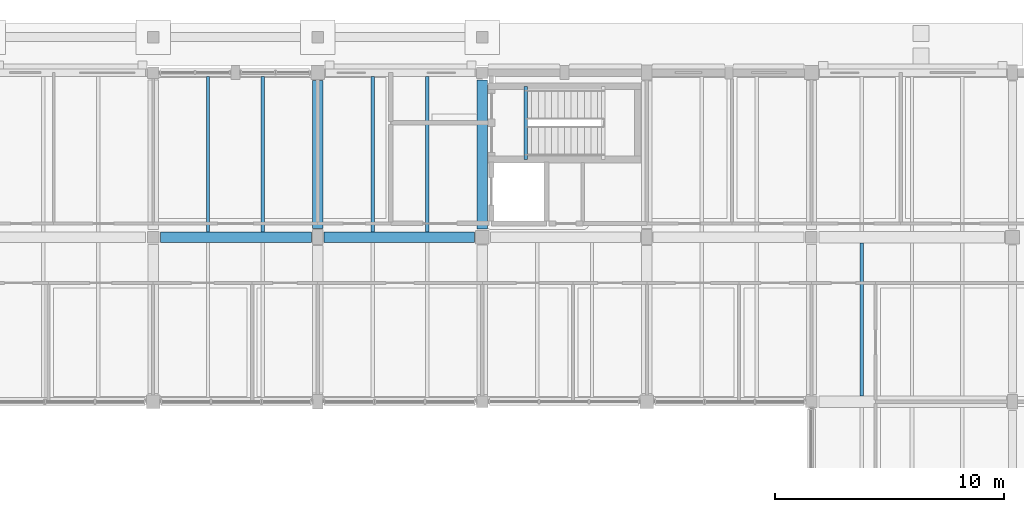
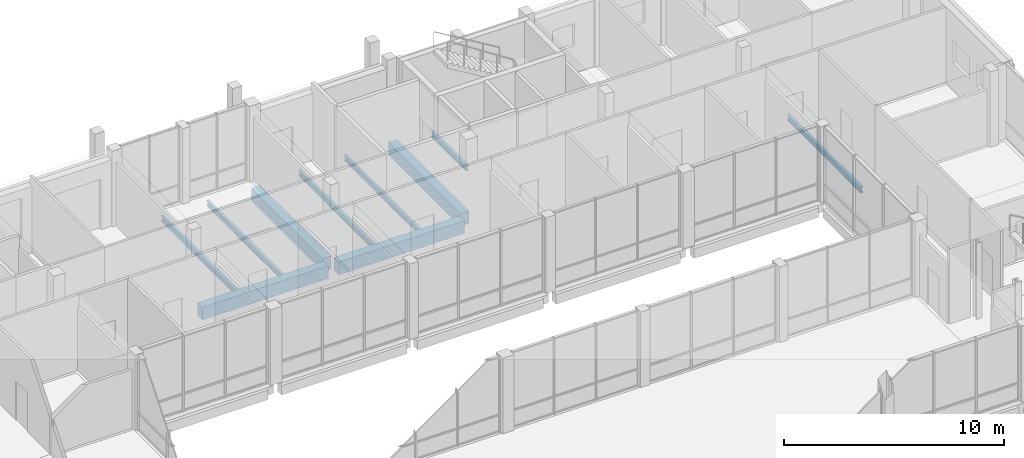
# One storey, part 41 of 104: 10 beams.
"""IFC4 building model written with IfcOpenShell, lengths in metres."""

from ifc_helpers import new_model, si_unit, direction, frame, origin, origin_2d, place, context, subcontext, project, spatial, rectangle, i_section, extrude, material, material_profile, profile_set, type_object, element, save


model = new_model("IFC4")

# Units and contexts
model_context = context("Model", 3, precision=1e-05, world=origin(), true_north=direction((0.0, 1.0)))
body_context = subcontext(model_context, "Body", "Model", "MODEL_VIEW")
ifc_project = project(units=[si_unit("LENGTHUNIT", "METRE"), si_unit("AREAUNIT", "SQUARE_METRE"), si_unit("VOLUMEUNIT", "CUBIC_METRE"), si_unit("PLANEANGLEUNIT", "RADIAN"), si_unit("MASSUNIT", "GRAM", prefix="KILO")], contexts=[model_context])

# Site, building, storey
site_placement = place(None, origin())
site = spatial("IfcSite", under=ifc_project, at=site_placement, CompositionType="ELEMENT")
building_placement = place(site_placement, origin())
building = spatial("IfcBuilding", under=site, at=building_placement, Name="Hawrajan Terrace Health Centre", CompositionType="ELEMENT")
storey_placement = place(building_placement, origin())
storey = spatial("IfcBuildingStorey", under=building, at=storey_placement, Name="L00", CompositionType="ELEMENT", Elevation=0.0)

# Beams
ifc_material_1 = material(Name="Concrete C40/50", Category="concrete")
ifc_material_profile_1 = material_profile(ifc_material_1, rectangle(XDim=0.449951171875, YDim=0.699951171875, at=origin_2d()), Name="RC BM 450x700")
ifc_profile_set_1 = profile_set([ifc_material_profile_1], Name="Concrete C40/50")
beam_type_1 = type_object("IfcBeamType", Name="RCGirder_450x700", PredefinedType="BEAM", material=ifc_profile_set_1)
beam_1_placement = place(storey_placement, frame((33.72509765625, 52.60009765625, -0.64990234375), z_axis=(1.0, 0.0, 0.0), x_axis=(0.0, 1.0, 0.0)))
element("IfcBeam", 1, at=beam_1_placement, inside=storey, type_object=beam_type_1, Name="Beam BM-X-L00-W-05-Y7", PredefinedType="BEAM", context=body_context, shape_type="SweptSolid", body=[
    extrude(rectangle(XDim=0.449951171875, YDim=0.699951171875, at=origin_2d()), origin(), (0.0, 0.0, 1.0), 6.599853515625),
])
beam_2_placement = place(storey_placement, frame((40.875, 52.60009765625, -0.64990234375), z_axis=(1.0, 0.0, 0.0), x_axis=(0.0, 1.0, 0.0)))
element("IfcBeam", 2, at=beam_2_placement, inside=storey, type_object=beam_type_1, Name="Beam BM-X-L00-W-06-Y7", PredefinedType="BEAM", context=body_context, shape_type="SweptSolid", body=[
    extrude(rectangle(XDim=0.449951171875, YDim=0.699951171875, at=origin_2d()), origin(), (0.0, 0.0, 1.0), 6.574951171875),
])
beam_3_placement = place(storey_placement, frame((40.60009765625, 52.97509765625, -0.64990234375), z_axis=(0.0, 1.0, 0.0), x_axis=(-1.0, 0.0, 0.0)))
element("IfcBeam", 3, at=beam_3_placement, inside=storey, type_object=beam_type_1, Name="Beam BM-Y-L00-W-X06-7", PredefinedType="BEAM", context=body_context, shape_type="SweptSolid", body=[
    extrude(rectangle(XDim=0.449951171875, YDim=0.699951171875, at=origin_2d()), origin(), (0.0, 0.0, 1.0), 6.474853515625),
])
beam_4_placement = place(storey_placement, frame((47.800048828125, 52.949951171875, -0.64990234375), z_axis=(0.0, 1.0, 0.0), x_axis=(-1.0, 0.0, 0.0)))
element("IfcBeam", 4, at=beam_4_placement, inside=storey, type_object=beam_type_1, Name="Beam BM-Y-L00-W-X07-7", PredefinedType="BEAM", context=body_context, shape_type="SweptSolid", body=[
    extrude(rectangle(XDim=0.449951171875, YDim=0.699951171875, at=origin_2d()), origin(), (0.0, 0.0, 1.0), 6.525146484375),
])
ifc_material_2 = material(Name="Steel S355", Category="steel")
ifc_material_profile_2 = material_profile(ifc_material_2, i_section(OverallWidth=0.14990234375, OverallDepth=0.300048828125, WebThickness=0.007080078125, FlangeThickness=0.0107421875, FilletRadius=0.014892578125, at=origin_2d()), Name="IPE 300")
ifc_profile_set_2 = profile_set([ifc_material_profile_2], Name="Steel S355")
beam_type_2 = type_object("IfcBeamType", Name="SteelBeam_IPE300", PredefinedType="JOIST", material=ifc_profile_set_2)
for number, where, z_axis, x_axis, name in (
    (5, (35.800048828125, 52.824951171875, -0.449951171875), (0.0, 1.0, 0.0), (-1.0, 0.0, 0.0), "Secondary joist JST-L00-W-05-7-1"),
    (6, (38.199951171875, 52.824951171875, -0.449951171875), (0.0, 1.0, 0.0), (-1.0, 0.0, 0.0), "Secondary joist JST-L00-W-05-7-2"),
    (7, (43.0, 52.824951171875, -0.449951171875), (0.0, 1.0, 0.0), (-1.0, 0.0, 0.0), "Secondary joist JST-L00-W-06-7-1"),
    (8, (45.39990234375, 52.824951171875, -0.449951171875), (0.0, 1.0, 0.0), (-1.0, 0.0, 0.0), "Secondary joist JST-L00-W-06-7-2"),
):
    element("IfcBeam", number, at=place(storey_placement, frame(where, z_axis=z_axis, x_axis=x_axis)), inside=storey, type_object=beam_type_2, Name=name, PredefinedType="JOIST", context=body_context, shape_type="SweptSolid", body=[
        extrude(i_section(OverallWidth=0.14990234375, OverallDepth=0.300048828125, WebThickness=0.007080078125, FlangeThickness=0.0107421875, FilletRadius=0.014892578125, at=origin_2d()), origin(), (0.0, 0.0, 1.0), 6.800048828125),
    ])
beam_5_placement = place(storey_placement, frame((64.39990234375, 45.64990234375, -0.449951171875), z_axis=(0.0, 1.0, 0.0), x_axis=(-1.0, 0.0, 0.0)))
element("IfcBeam", 9, at=beam_5_placement, inside=storey, type_object=beam_type_2, Name="Secondary joist JST-L00-W-09-6-1", PredefinedType="JOIST", context=body_context, shape_type="SweptSolid", body=[
    extrude(i_section(OverallWidth=0.14990234375, OverallDepth=0.300048828125, WebThickness=0.007080078125, FlangeThickness=0.0107421875, FilletRadius=0.014892578125, at=origin_2d()), origin(), (0.0, 0.0, 1.0), 6.7001953125),
])
beam_6_placement = place(storey_placement, frame((49.699951171875, 56.0, -0.3701171875), z_axis=(0.0, 1.0, 0.0), x_axis=(-1.0, 0.0, 0.0)))
element("IfcBeam", 10, at=beam_6_placement, inside=storey, type_object=beam_type_2, Name="Stair landing trimmer ST-2-L00-B0", PredefinedType="JOIST", context=body_context, shape_type="SweptSolid", body=[
    extrude(i_section(OverallWidth=0.14990234375, OverallDepth=0.300048828125, WebThickness=0.007080078125, FlangeThickness=0.0107421875, FilletRadius=0.014892578125, at=origin_2d()), origin(), (0.0, 0.0, 1.0), 3.199951171875),
])

save(model, "model.ifc")
